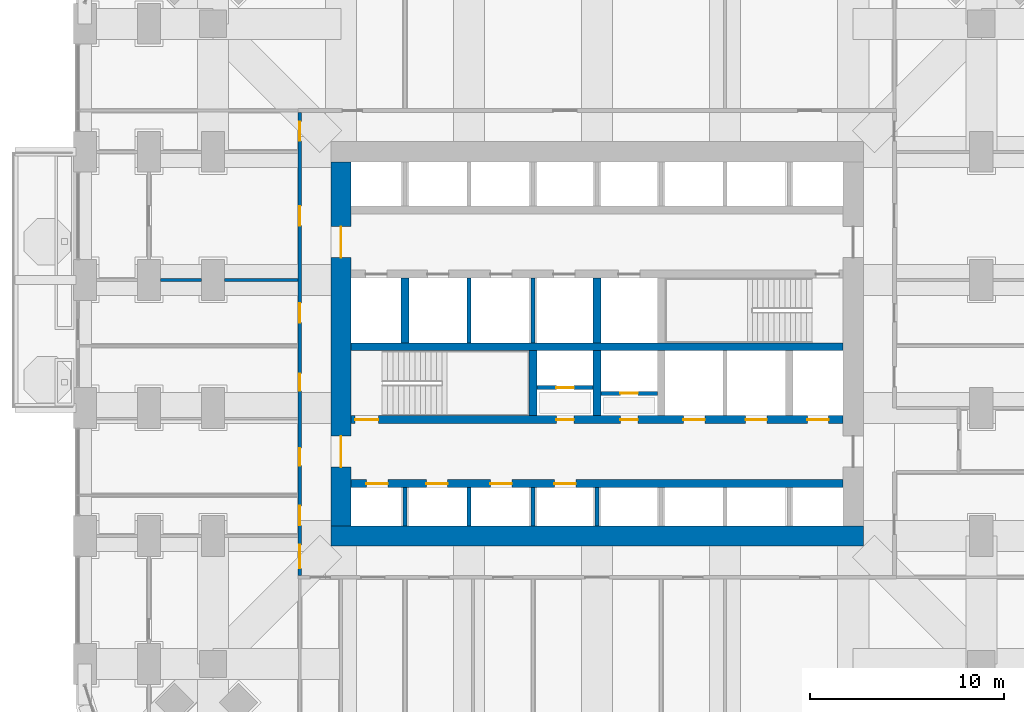
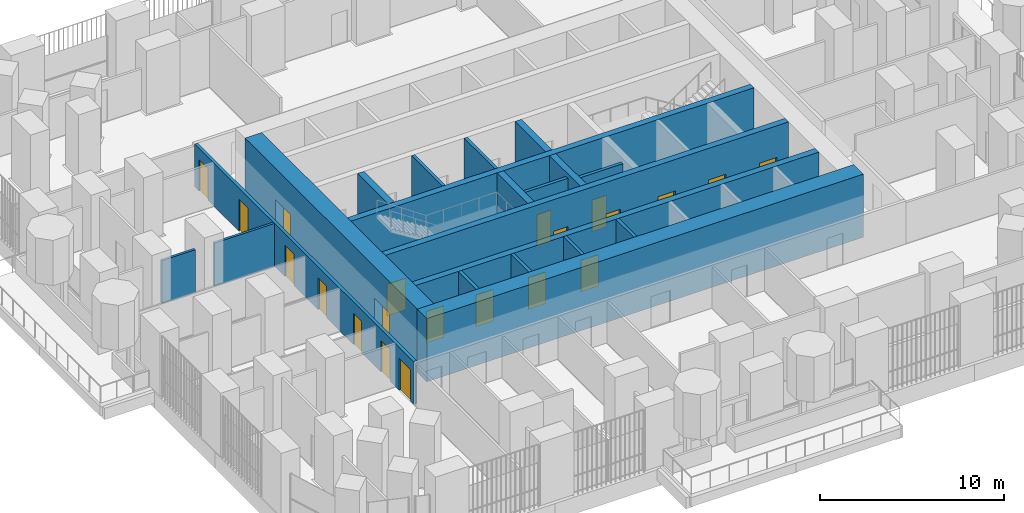
# One storey, part 18 of 26: 21 doors, 20 walls, 21 openings.
"""IFC4 building model written with IfcOpenShell, lengths in metres."""

from ifc_helpers import new_model, si_unit, direction, frame, frame_2d, origin, place, context, subcontext, project, spatial, rectangle, extrude, material, layer, layer_set, type_object, element, fill, save


model = new_model("IFC4")

# Units and contexts
model_context = context("Model", 3, precision=1e-05, world=origin(), true_north=direction((0.0, 1.0)))
body_context = subcontext(model_context, "Body", "Model", "MODEL_VIEW")
ifc_project = project(units=[si_unit("LENGTHUNIT", "METRE"), si_unit("AREAUNIT", "SQUARE_METRE"), si_unit("VOLUMEUNIT", "CUBIC_METRE"), si_unit("PLANEANGLEUNIT", "RADIAN"), si_unit("MASSUNIT", "GRAM", prefix="KILO")], contexts=[model_context])

# Site, building, storey
site_placement = place(None, origin())
site = spatial("IfcSite", under=ifc_project, at=site_placement, CompositionType="ELEMENT")
building_placement = place(site_placement, origin())
building = spatial("IfcBuilding", under=site, at=building_placement, Name="Cobogo Forest Laboratory Tower", CompositionType="ELEMENT")
storey_placement = place(building_placement, frame((0.0, 0.0, 59.10009765625)))
storey = spatial("IfcBuildingStorey", under=building, at=storey_placement, Name="L13", CompositionType="ELEMENT", Elevation=59.10009765625)

# Wall, openings, doors
ifc_material_1 = material(Name="Concrete HA-50 (C50/60)", Category="concrete")
ifc_layer_1 = layer(ifc_material_1, 0.39990234375)
ifc_layer_set_1 = layer_set([ifc_layer_1], Name="CI400 core inner wall 400")
wall_type_1 = type_object("IfcWallType", Name="CI400 core inner wall 400", PredefinedType="SHEAR", material=ifc_layer_set_1)
wall_1_placement = place(storey_placement, frame((13.72509765625, 15.89990234375, 0.0), z_axis=(0.0, 0.0, 1.0), x_axis=(1.0, 0.0, 0.0)))
wall_1 = element("IfcWall", 1, at=wall_1_placement, inside=storey, type_object=wall_type_1, Name="Core wall CI-15.9 L13", PredefinedType="SHEAR", context=body_context, shape_type="SweptSolid", body=[
    extrude(rectangle(XDim=25.349853515625, YDim=0.39990234375, at=frame_2d((12.6748046875, 0.0))), origin(), (0.0, 0.0, 1.0), 4.199951171875),
])
opening_1_placement = place(wall_1_placement, frame((0.78759765625, 0.0, 0.0)))
opening_1 = element("IfcOpeningElement", 2, at=opening_1_placement, cuts=wall_1, Name="Opening L13-LD-LA1", PredefinedType="OPENING", context=body_context, shape_type="SweptSolid", body=[
    extrude(rectangle(XDim=1.10009765625, YDim=2.10009765625, at=frame_2d((0.550048828125, 1.050048828125))), frame((0.0, 0.2099609375, 0.0), z_axis=(0.0, -1.0, 0.0), x_axis=(1.0, 0.0, 0.0)), (0.0, 0.0, 1.0), 0.419921875),
])
opening_2_placement = place(wall_1_placement, frame((3.875, 0.0, 0.0)))
opening_2 = element("IfcOpeningElement", 3, at=opening_2_placement, cuts=wall_1, Name="Opening L13-LD-LA2", PredefinedType="OPENING", context=body_context, shape_type="SweptSolid", body=[
    extrude(rectangle(XDim=1.10009765625, YDim=2.10009765625, at=frame_2d((0.550048828125, 1.050048828125))), frame((0.0, 0.2099609375, 0.0), z_axis=(0.0, -1.0, 0.0), x_axis=(1.0, 0.0, 0.0)), (0.0, 0.0, 1.0), 0.419921875),
])
opening_3_placement = place(wall_1_placement, frame((7.175048828125, 0.0, 0.0)))
opening_3 = element("IfcOpeningElement", 4, at=opening_3_placement, cuts=wall_1, Name="Opening L13-LD-LA3", PredefinedType="OPENING", context=body_context, shape_type="SweptSolid", body=[
    extrude(rectangle(XDim=1.10009765625, YDim=2.10009765625, at=frame_2d((0.550048828125, 1.050048828125))), frame((0.0, 0.2099609375, 0.0), z_axis=(0.0, -1.0, 0.0), x_axis=(1.0, 0.0, 0.0)), (0.0, 0.0, 1.0), 0.419921875),
])
opening_4_placement = place(wall_1_placement, frame((10.47509765625, 0.0, 0.0)))
opening_4 = element("IfcOpeningElement", 5, at=opening_4_placement, cuts=wall_1, Name="Opening L13-LD-LA4", PredefinedType="OPENING", context=body_context, shape_type="SweptSolid", body=[
    extrude(rectangle(XDim=1.10009765625, YDim=2.10009765625, at=frame_2d((0.550048828125, 1.050048828125))), frame((0.0, 0.2099609375, 0.0), z_axis=(0.0, -1.0, 0.0), x_axis=(1.0, 0.0, 0.0)), (0.0, 0.0, 1.0), 0.419921875),
])
ifc_material_2 = material(Name="Stainless steel lift door", Category="steel")
door_type_1 = type_object("IfcDoorType", Name="LD lift landing door 1100", OperationType="DOUBLE_DOOR_SLIDING", PredefinedType="DOOR", material=ifc_material_2)
door_1_placement = place(opening_1_placement, origin())
door_1 = element("IfcDoor", 6, at=door_1_placement, inside=storey, type_object=door_type_1, Name="Lift landing door LA1 L13", OperationType="DOUBLE_DOOR_SLIDING", OverallHeight=2.10009765625, OverallWidth=1.10009765625, PredefinedType="DOOR", context=body_context, shape_type="SweptSolid", body=[
    extrude(rectangle(XDim=1.10009765625, YDim=2.10009765625, at=frame_2d((0.550048828125, 1.050048828125))), frame((0.0, 0.02490234375, 0.0), z_axis=(0.0, -1.0, 0.0), x_axis=(1.0, 0.0, 0.0)), (0.0, 0.0, 1.0), 0.050048828125),
])
fill(opening_1, door_1)
door_2_placement = place(opening_2_placement, origin())
door_2 = element("IfcDoor", 7, at=door_2_placement, inside=storey, type_object=door_type_1, Name="Lift landing door LA2 L13", OperationType="DOUBLE_DOOR_SLIDING", OverallHeight=2.10009765625, OverallWidth=1.10009765625, PredefinedType="DOOR", context=body_context, shape_type="SweptSolid", body=[
    extrude(rectangle(XDim=1.10009765625, YDim=2.10009765625, at=frame_2d((0.550048828125, 1.050048828125))), frame((0.0, 0.02490234375, 0.0), z_axis=(0.0, -1.0, 0.0), x_axis=(1.0, 0.0, 0.0)), (0.0, 0.0, 1.0), 0.050048828125),
])
fill(opening_2, door_2)
door_3_placement = place(opening_3_placement, origin())
door_3 = element("IfcDoor", 8, at=door_3_placement, inside=storey, type_object=door_type_1, Name="Lift landing door LA3 L13", OperationType="DOUBLE_DOOR_SLIDING", OverallHeight=2.10009765625, OverallWidth=1.10009765625, PredefinedType="DOOR", context=body_context, shape_type="SweptSolid", body=[
    extrude(rectangle(XDim=1.10009765625, YDim=2.10009765625, at=frame_2d((0.550048828125, 1.050048828125))), frame((0.0, 0.02490234375, 0.0), z_axis=(0.0, -1.0, 0.0), x_axis=(1.0, 0.0, 0.0)), (0.0, 0.0, 1.0), 0.050048828125),
])
fill(opening_3, door_3)
door_4_placement = place(opening_4_placement, origin())
door_4 = element("IfcDoor", 9, at=door_4_placement, inside=storey, type_object=door_type_1, Name="Lift landing door LA4 L13", OperationType="DOUBLE_DOOR_SLIDING", OverallHeight=2.10009765625, OverallWidth=1.10009765625, PredefinedType="DOOR", context=body_context, shape_type="SweptSolid", body=[
    extrude(rectangle(XDim=1.10009765625, YDim=2.10009765625, at=frame_2d((0.550048828125, 1.050048828125))), frame((0.0, 0.02490234375, 0.0), z_axis=(0.0, -1.0, 0.0), x_axis=(1.0, 0.0, 0.0)), (0.0, 0.0, 1.0), 0.050048828125),
])
fill(opening_4, door_4)

wall_2_placement = place(storey_placement, frame((13.72509765625, 19.199951171875, 0.0), z_axis=(0.0, 0.0, 1.0), x_axis=(1.0, 0.0, 0.0)))
wall_2 = element("IfcWall", 10, at=wall_2_placement, inside=storey, type_object=wall_type_1, Name="Core wall CI-19.2 L13", PredefinedType="SHEAR", context=body_context, shape_type="SweptSolid", body=[
    extrude(rectangle(XDim=25.349853515625, YDim=0.39990234375, at=frame_2d((12.6748046875, 0.0))), origin(), (0.0, 0.0, 1.0), 4.199951171875),
])
opening_5_placement = place(wall_2_placement, frame((10.574951171875, 0.0, 0.0)))
opening_5 = element("IfcOpeningElement", 11, at=opening_5_placement, cuts=wall_2, Name="Opening L13-D24", PredefinedType="OPENING", context=body_context, shape_type="SweptSolid", body=[
    extrude(rectangle(XDim=0.89990234375, YDim=2.10009765625, at=frame_2d((0.449951171875, 1.050048828125))), frame((0.0, 0.2099609375, 0.0), z_axis=(0.0, -1.0, 0.0), x_axis=(1.0, 0.0, 0.0)), (0.0, 0.0, 1.0), 0.419921875),
])
opening_6_placement = place(wall_2_placement, frame((13.875, 0.0, 0.0)))
opening_6 = element("IfcOpeningElement", 12, at=opening_6_placement, cuts=wall_2, Name="Opening L13-D25", PredefinedType="OPENING", context=body_context, shape_type="SweptSolid", body=[
    extrude(rectangle(XDim=0.89990234375, YDim=2.10009765625, at=frame_2d((0.449951171875, 1.050048828125))), frame((0.0, 0.2099609375, 0.0), z_axis=(0.0, -1.0, 0.0), x_axis=(1.0, 0.0, 0.0)), (0.0, 0.0, 1.0), 0.419921875),
])
opening_7_placement = place(wall_2_placement, frame((0.199951171875, 0.0, 0.0)))
opening_7 = element("IfcOpeningElement", 13, at=opening_7_placement, cuts=wall_2, Name="Opening L13-D23", PredefinedType="OPENING", context=body_context, shape_type="SweptSolid", body=[
    extrude(rectangle(XDim=1.199951171875, YDim=2.10009765625, at=frame_2d((0.60009765625, 1.050048828125))), frame((0.0, 0.2099609375, 0.0), z_axis=(0.0, -1.0, 0.0), x_axis=(1.0, 0.0, 0.0)), (0.0, 0.0, 1.0), 0.419921875),
])
opening_8_placement = place(wall_2_placement, frame((23.512451171875, 0.0, 0.0)))
opening_8 = element("IfcOpeningElement", 14, at=opening_8_placement, cuts=wall_2, Name="Opening L13-LD-FL2", PredefinedType="OPENING", context=body_context, shape_type="SweptSolid", body=[
    extrude(rectangle(XDim=1.10009765625, YDim=2.10009765625, at=frame_2d((0.550048828125, 1.050048828125))), frame((0.0, 0.2099609375, 0.0), z_axis=(0.0, -1.0, 0.0), x_axis=(1.0, 0.0, 0.0)), (0.0, 0.0, 1.0), 0.419921875),
])
opening_9_placement = place(wall_2_placement, frame((17.125, 0.0, 0.0)))
opening_9 = element("IfcOpeningElement", 15, at=opening_9_placement, cuts=wall_2, Name="Opening L13-LD-LS1", PredefinedType="OPENING", context=body_context, shape_type="SweptSolid", body=[
    extrude(rectangle(XDim=1.10009765625, YDim=2.10009765625, at=frame_2d((0.550048828125, 1.050048828125))), frame((0.0, 0.2099609375, 0.0), z_axis=(0.0, -1.0, 0.0), x_axis=(1.0, 0.0, 0.0)), (0.0, 0.0, 1.0), 0.419921875),
])
opening_10_placement = place(wall_2_placement, frame((20.324951171875, 0.0, 0.0)))
opening_10 = element("IfcOpeningElement", 16, at=opening_10_placement, cuts=wall_2, Name="Opening L13-LD-LS2", PredefinedType="OPENING", context=body_context, shape_type="SweptSolid", body=[
    extrude(rectangle(XDim=1.10009765625, YDim=2.10009765625, at=frame_2d((0.550048828125, 1.050048828125))), frame((0.0, 0.2099609375, 0.0), z_axis=(0.0, -1.0, 0.0), x_axis=(1.0, 0.0, 0.0)), (0.0, 0.0, 1.0), 0.419921875),
])
ifc_material_3 = material(Name="Steel fire door", Category="steel")
door_type_2 = type_object("IfcDoorType", Name="DS1 protected stair door 1200 EI2 60", OperationType="SINGLE_SWING_LEFT", PredefinedType="DOOR", material=ifc_material_3)
door_5_placement = place(opening_7_placement, origin())
door_5 = element("IfcDoor", 17, at=door_5_placement, inside=storey, type_object=door_type_2, Name="Door L13-ST1", OperationType="SINGLE_SWING_LEFT", OverallHeight=2.10009765625, OverallWidth=1.199951171875, PredefinedType="DOOR", context=body_context, shape_type="SweptSolid", body=[
    extrude(rectangle(XDim=1.199951171875, YDim=2.10009765625, at=frame_2d((0.60009765625, 1.050048828125))), frame((0.0, 0.02490234375, 0.0), z_axis=(0.0, -1.0, 0.0), x_axis=(1.0, 0.0, 0.0)), (0.0, 0.0, 1.0), 0.050048828125),
])
fill(opening_7, door_5)
door_type_3 = type_object("IfcDoorType", Name="FD4 riser access door 900 EI2 60", OperationType="SINGLE_SWING_LEFT", PredefinedType="DOOR", material=ifc_material_3)
door_6_placement = place(opening_5_placement, origin())
door_6 = element("IfcDoor", 18, at=door_6_placement, inside=storey, type_object=door_type_3, Name="Door L13-R1V", OperationType="SINGLE_SWING_LEFT", OverallHeight=2.10009765625, OverallWidth=0.89990234375, PredefinedType="DOOR", context=body_context, shape_type="SweptSolid", body=[
    extrude(rectangle(XDim=0.89990234375, YDim=2.10009765625, at=frame_2d((0.449951171875, 1.050048828125))), frame((0.0, 0.02490234375, 0.0), z_axis=(0.0, -1.0, 0.0), x_axis=(1.0, 0.0, 0.0)), (0.0, 0.0, 1.0), 0.050048828125),
])
fill(opening_5, door_6)
door_7_placement = place(opening_6_placement, origin())
door_7 = element("IfcDoor", 19, at=door_7_placement, inside=storey, type_object=door_type_3, Name="Door L13-R2V", OperationType="SINGLE_SWING_RIGHT", OverallHeight=2.10009765625, OverallWidth=0.89990234375, PredefinedType="DOOR", context=body_context, shape_type="SweptSolid", body=[
    extrude(rectangle(XDim=0.89990234375, YDim=2.10009765625, at=frame_2d((0.449951171875, 1.050048828125))), frame((0.0, 0.02490234375, 0.0), z_axis=(0.0, -1.0, 0.0), x_axis=(1.0, 0.0, 0.0)), (0.0, 0.0, 1.0), 0.050048828125),
])
fill(opening_6, door_7)
door_8_placement = place(opening_8_placement, origin())
door_8 = element("IfcDoor", 20, at=door_8_placement, inside=storey, type_object=door_type_1, Name="Lift landing door FL2 L13", OperationType="DOUBLE_DOOR_SLIDING", OverallHeight=2.10009765625, OverallWidth=1.10009765625, PredefinedType="DOOR", context=body_context, shape_type="SweptSolid", body=[
    extrude(rectangle(XDim=1.10009765625, YDim=2.10009765625, at=frame_2d((0.550048828125, 1.050048828125))), frame((0.0, 0.02490234375, 0.0), z_axis=(0.0, -1.0, 0.0), x_axis=(1.0, 0.0, 0.0)), (0.0, 0.0, 1.0), 0.050048828125),
])
fill(opening_8, door_8)
door_9_placement = place(opening_9_placement, origin())
door_9 = element("IfcDoor", 21, at=door_9_placement, inside=storey, type_object=door_type_1, Name="Lift landing door LS1 L13", OperationType="DOUBLE_DOOR_SLIDING", OverallHeight=2.10009765625, OverallWidth=1.10009765625, PredefinedType="DOOR", context=body_context, shape_type="SweptSolid", body=[
    extrude(rectangle(XDim=1.10009765625, YDim=2.10009765625, at=frame_2d((0.550048828125, 1.050048828125))), frame((0.0, 0.02490234375, 0.0), z_axis=(0.0, -1.0, 0.0), x_axis=(1.0, 0.0, 0.0)), (0.0, 0.0, 1.0), 0.050048828125),
])
fill(opening_9, door_9)
door_10_placement = place(opening_10_placement, origin())
door_10 = element("IfcDoor", 22, at=door_10_placement, inside=storey, type_object=door_type_1, Name="Lift landing door LS2 L13", OperationType="DOUBLE_DOOR_SLIDING", OverallHeight=2.10009765625, OverallWidth=1.10009765625, PredefinedType="DOOR", context=body_context, shape_type="SweptSolid", body=[
    extrude(rectangle(XDim=1.10009765625, YDim=2.10009765625, at=frame_2d((0.550048828125, 1.050048828125))), frame((0.0, 0.02490234375, 0.0), z_axis=(0.0, -1.0, 0.0), x_axis=(1.0, 0.0, 0.0)), (0.0, 0.0, 1.0), 0.050048828125),
])
fill(opening_10, door_10)

# Walls
wall_3_placement = place(storey_placement, frame((13.72509765625, 22.949951171875, 0.0), z_axis=(0.0, 0.0, 1.0), x_axis=(1.0, 0.0, 0.0)))
element("IfcWall", 23, at=wall_3_placement, inside=storey, type_object=wall_type_1, Name="Core wall CI-22.95 L13", PredefinedType="SHEAR", context=body_context, shape_type="SweptSolid", body=[
    extrude(rectangle(XDim=25.349853515625, YDim=0.39990234375, at=frame_2d((12.6748046875, 0.0))), origin(), (0.0, 0.0, 1.0), 4.199951171875),
])
for number, where, z_axis, x_axis, name in (
    (24, (23.10009765625, 19.39990234375, 0.0), (0.0, 0.0, 1.0), (0.0, 1.0, 0.0), "Core wall CX-23.1 L13"),
    (25, (26.39990234375, 19.39990234375, 0.0), (0.0, 0.0, 1.0), (0.0, 1.0, 0.0), "Core wall CX-26.4S L13"),
    (26, (16.5, 23.14990234375, 0.0), (0.0, 0.0, 1.0), (0.0, 1.0, 0.0), "Core wall CX-16.5 L13"),
    (27, (26.39990234375, 23.14990234375, 0.0), (0.0, 0.0, 1.0), (0.0, 1.0, 0.0), "Core wall CX-26.4N L13"),
):
    element("IfcWall", number, at=place(storey_placement, frame(where, z_axis=z_axis, x_axis=x_axis)), inside=storey, type_object=wall_type_1, Name=name, PredefinedType="SHEAR", context=body_context, shape_type="SweptSolid", body=[
        extrude(rectangle(XDim=3.35009765625, YDim=0.39990234375, at=frame_2d((1.675048828125, 0.0))), origin(), (0.0, 0.0, 1.0), 4.199951171875),
    ])
ifc_layer_2 = layer(ifc_material_1, 1.050048828125)
ifc_layer_set_2 = layer_set([ifc_layer_2], Name="CW1050 core outer wall 1050")
wall_type_2 = type_object("IfcWallType", Name="CW1050 core outer wall 1050", PredefinedType="SHEAR", material=ifc_layer_set_2)
wall_4_placement = place(storey_placement, frame((12.675048828125, 13.199951171875, 0.0), z_axis=(0.0, 0.0, 1.0), x_axis=(1.0, 0.0, 0.0)))
element("IfcWall", 28, at=wall_4_placement, inside=storey, type_object=wall_type_2, Name="Core wall CO-S L13", PredefinedType="SHEAR", context=body_context, shape_type="SweptSolid", body=[
    extrude(rectangle(XDim=27.449951171875, YDim=1.050048828125, at=frame_2d((13.72509765625, 0.0))), origin(), (0.0, 0.0, 1.0), 4.199951171875),
])

# Wall, openings, doors
wall_5_placement = place(storey_placement, frame((13.199951171875, 32.47509765625, 0.0), z_axis=(0.0, 0.0, 1.0), x_axis=(0.0, -1.0, 0.0)))
wall_5 = element("IfcWall", 29, at=wall_5_placement, inside=storey, type_object=wall_type_2, Name="Core wall CO-W L13", PredefinedType="SHEAR", context=body_context, shape_type="SweptSolid", body=[
    extrude(rectangle(XDim=18.75, YDim=1.050048828125, at=frame_2d((9.375, 0.0))), origin(), (0.0, 0.0, 1.0), 4.199951171875),
])
opening_11_placement = place(wall_5_placement, frame((14.125, 0.0, 0.0)))
opening_11 = element("IfcOpeningElement", 30, at=opening_11_placement, cuts=wall_5, Name="Opening L13-D19", PredefinedType="OPENING", context=body_context, shape_type="SweptSolid", body=[
    extrude(rectangle(XDim=1.60009765625, YDim=2.10009765625, at=frame_2d((0.800048828125, 1.050048828125))), frame((0.0, 0.534912109375, 0.0), z_axis=(0.0, -1.0, 0.0), x_axis=(1.0, 0.0, 0.0)), (0.0, 0.0, 1.0), 1.070068359375),
])
opening_12_placement = place(wall_5_placement, frame((3.324951171875, 0.0, 0.0)))
opening_12 = element("IfcOpeningElement", 31, at=opening_12_placement, cuts=wall_5, Name="Opening L13-D35", PredefinedType="OPENING", context=body_context, shape_type="SweptSolid", body=[
    extrude(rectangle(XDim=1.60009765625, YDim=2.10009765625, at=frame_2d((0.800048828125, 1.050048828125))), frame((0.0, 0.534912109375, 0.0), z_axis=(0.0, -1.0, 0.0), x_axis=(1.0, 0.0, 0.0)), (0.0, 0.0, 1.0), 1.070068359375),
])
door_type_4 = type_object("IfcDoorType", Name="DS2 protected lobby door pair 1600 EI2 60", OperationType="DOUBLE_DOOR_DOUBLE_SWING", PredefinedType="DOOR", material=ifc_material_3)
door_11_placement = place(opening_11_placement, origin())
door_11 = element("IfcDoor", 32, at=door_11_placement, inside=storey, type_object=door_type_4, Name="Door L13-CO-W-S", OperationType="DOUBLE_DOOR_DOUBLE_SWING", OverallHeight=2.10009765625, OverallWidth=1.60009765625, PredefinedType="DOOR", context=body_context, shape_type="SweptSolid", body=[
    extrude(rectangle(XDim=1.60009765625, YDim=2.10009765625, at=frame_2d((0.800048828125, 1.050048828125))), frame((0.0, 0.02490234375, 0.0), z_axis=(0.0, -1.0, 0.0), x_axis=(1.0, 0.0, 0.0)), (0.0, 0.0, 1.0), 0.050048828125),
])
fill(opening_11, door_11)
door_12_placement = place(opening_12_placement, origin())
door_12 = element("IfcDoor", 33, at=door_12_placement, inside=storey, type_object=door_type_4, Name="Door L13-CO-W-N", OperationType="DOUBLE_DOOR_DOUBLE_SWING", OverallHeight=2.10009765625, OverallWidth=1.60009765625, PredefinedType="DOOR", context=body_context, shape_type="SweptSolid", body=[
    extrude(rectangle(XDim=1.60009765625, YDim=2.10009765625, at=frame_2d((0.800048828125, 1.050048828125))), frame((0.0, 0.02490234375, 0.0), z_axis=(0.0, -1.0, 0.0), x_axis=(1.0, 0.0, 0.0)), (0.0, 0.0, 1.0), 0.050048828125),
])
fill(opening_12, door_12)

# Walls
ifc_material_4 = material(Name="Gypsum board on steel studs", Category="steel")
ifc_layer_3 = layer(ifc_material_4, 0.14990234375)
ifc_layer_set_3 = layer_set([ifc_layer_3], Name="PT1 laboratory partition 150")
wall_type_3 = type_object("IfcWallType", Name="PT1 laboratory partition 150", PredefinedType="PARTITIONING", material=ifc_layer_set_3)
wall_6_placement = place(storey_placement, frame((3.89990234375, 26.39990234375, 0.0), z_axis=(0.0, 0.0, 1.0), x_axis=(1.0, 0.0, 0.0)))
element("IfcWall", 34, at=wall_6_placement, inside=storey, type_object=wall_type_3, Name="Partition CUT-W26.4-2 L13", PredefinedType="PARTITIONING", context=body_context, shape_type="SweptSolid", body=[
    extrude(rectangle(XDim=2.10009765625, YDim=0.14990234375, at=frame_2d((1.050048828125, 0.0))), origin(), (0.0, 0.0, 1.0), 2.849853515625),
])
wall_7_placement = place(storey_placement, frame((7.199951171875, 26.39990234375, 0.0), z_axis=(0.0, 0.0, 1.0), x_axis=(1.0, 0.0, 0.0)))
element("IfcWall", 35, at=wall_7_placement, inside=storey, type_object=wall_type_3, Name="Partition CUT-W26.4-3 L13", PredefinedType="PARTITIONING", context=body_context, shape_type="SweptSolid", body=[
    extrude(rectangle(XDim=3.775146484375, YDim=0.14990234375, at=frame_2d((1.8876953125, 0.0))), origin(), (0.0, 0.0, 1.0), 2.849853515625),
])

# Wall, openings, doors
ifc_layer_4 = layer(ifc_material_4, 0.199951171875)
ifc_layer_set_4 = layer_set([ifc_layer_4], Name="PT2 fire-rated corridor partition 200")
wall_type_4 = type_object("IfcWallType", Name="PT2 fire-rated corridor partition 200", PredefinedType="PARTITIONING", material=ifc_layer_set_4)
wall_8_placement = place(storey_placement, frame((11.074951171875, 11.175048828125, 0.0), z_axis=(0.0, 0.0, 1.0), x_axis=(0.0, 1.0, 0.0)))
wall_8 = element("IfcWall", 36, at=wall_8_placement, inside=storey, type_object=wall_type_4, Name="Partition CORR-W L13", PredefinedType="PARTITIONING", context=body_context, shape_type="SweptSolid", body=[
    extrude(rectangle(XDim=23.849853515625, YDim=0.199951171875, at=frame_2d((11.9248046875, 0.0))), origin(), (0.0, 0.0, 1.0), 2.849853515625),
])
opening_13_placement = place(wall_8_placement, frame((0.362548828125, 0.0, 0.0)))
opening_13 = element("IfcOpeningElement", 37, at=opening_13_placement, cuts=wall_8, Name="Opening L13-D14", PredefinedType="OPENING", context=body_context, shape_type="SweptSolid", body=[
    extrude(rectangle(XDim=1.199951171875, YDim=2.10009765625, at=frame_2d((0.60009765625, 1.050048828125))), frame((0.0, 0.10986328125, 0.0), z_axis=(0.0, -1.0, 0.0), x_axis=(1.0, 0.0, 0.0)), (0.0, 0.0, 1.0), 0.219970703125),
])
opening_14_placement = place(wall_8_placement, frame((2.574951171875, 0.0, 0.0)))
opening_14 = element("IfcOpeningElement", 38, at=opening_14_placement, cuts=wall_8, Name="Opening L13-D16", PredefinedType="OPENING", context=body_context, shape_type="SweptSolid", body=[
    extrude(rectangle(XDim=1.0, YDim=2.10009765625, at=frame_2d((0.5, 1.050048828125))), frame((0.0, 0.10986328125, 0.0), z_axis=(0.0, -1.0, 0.0), x_axis=(1.0, 0.0, 0.0)), (0.0, 0.0, 1.0), 0.219970703125),
])
opening_15_placement = place(wall_8_placement, frame((5.64990234375, 0.0, 0.0)))
opening_15 = element("IfcOpeningElement", 39, at=opening_15_placement, cuts=wall_8, Name="Opening L13-D18", PredefinedType="OPENING", context=body_context, shape_type="SweptSolid", body=[
    extrude(rectangle(XDim=0.89990234375, YDim=2.10009765625, at=frame_2d((0.449951171875, 1.050048828125))), frame((0.0, 0.10986328125, 0.0), z_axis=(0.0, -1.0, 0.0), x_axis=(1.0, 0.0, 0.0)), (0.0, 0.0, 1.0), 0.219970703125),
])
opening_16_placement = place(wall_8_placement, frame((9.5, 0.0, 0.0)))
opening_16 = element("IfcOpeningElement", 40, at=opening_16_placement, cuts=wall_8, Name="Opening L13-D28", PredefinedType="OPENING", context=body_context, shape_type="SweptSolid", body=[
    extrude(rectangle(XDim=0.89990234375, YDim=2.10009765625, at=frame_2d((0.449951171875, 1.050048828125))), frame((0.0, 0.10986328125, 0.0), z_axis=(0.0, -1.0, 0.0), x_axis=(1.0, 0.0, 0.0)), (0.0, 0.0, 1.0), 0.219970703125),
])
opening_17_placement = place(wall_8_placement, frame((13.02490234375, 0.0, 0.0)))
opening_17 = element("IfcOpeningElement", 41, at=opening_17_placement, cuts=wall_8, Name="Opening L13-D32", PredefinedType="OPENING", context=body_context, shape_type="SweptSolid", body=[
    extrude(rectangle(XDim=1.0, YDim=2.10009765625, at=frame_2d((0.5, 1.050048828125))), frame((0.0, 0.10986328125, 0.0), z_axis=(0.0, -1.0, 0.0), x_axis=(1.0, 0.0, 0.0)), (0.0, 0.0, 1.0), 0.219970703125),
])
opening_18_placement = place(wall_8_placement, frame((18.02490234375, 0.0, 0.0)))
opening_18 = element("IfcOpeningElement", 42, at=opening_18_placement, cuts=wall_8, Name="Opening L13-D38", PredefinedType="OPENING", context=body_context, shape_type="SweptSolid", body=[
    extrude(rectangle(XDim=1.0, YDim=2.10009765625, at=frame_2d((0.5, 1.050048828125))), frame((0.0, 0.10986328125, 0.0), z_axis=(0.0, -1.0, 0.0), x_axis=(1.0, 0.0, 0.0)), (0.0, 0.0, 1.0), 0.219970703125),
])
opening_19_placement = place(wall_8_placement, frame((22.387451171875, 0.0, 0.0)))
opening_19 = element("IfcOpeningElement", 43, at=opening_19_placement, cuts=wall_8, Name="Opening L13-D41", PredefinedType="OPENING", context=body_context, shape_type="SweptSolid", body=[
    extrude(rectangle(XDim=1.0, YDim=2.10009765625, at=frame_2d((0.5, 1.050048828125))), frame((0.0, 0.10986328125, 0.0), z_axis=(0.0, -1.0, 0.0), x_axis=(1.0, 0.0, 0.0)), (0.0, 0.0, 1.0), 0.219970703125),
])
ifc_material_5 = material(Name="Timber door", Category="wood")
door_type_5 = type_object("IfcDoorType", Name="D2 laboratory door 1200 unequal pair", OperationType="DOUBLE_DOOR_SINGLE_SWING", PredefinedType="DOOR", material=ifc_material_5)
door_13_placement = place(opening_13_placement, origin())
door_13 = element("IfcDoor", 44, at=door_13_placement, inside=storey, type_object=door_type_5, Name="Door L13-W1", OperationType="DOUBLE_DOOR_SINGLE_SWING", OverallHeight=2.10009765625, OverallWidth=1.199951171875, PredefinedType="DOOR", context=body_context, shape_type="SweptSolid", body=[
    extrude(rectangle(XDim=1.199951171875, YDim=2.10009765625, at=frame_2d((0.60009765625, 1.050048828125))), frame((0.0, 0.02490234375, 0.0), z_axis=(0.0, -1.0, 0.0), x_axis=(1.0, 0.0, 0.0)), (0.0, 0.0, 1.0), 0.050048828125),
])
fill(opening_13, door_13)
ifc_material_6 = material(Name="Timber fire door", Category="wood")
door_type_6 = type_object("IfcDoorType", Name="FD2 fire door 1000 EI2 30", OperationType="SINGLE_SWING_LEFT", PredefinedType="DOOR", material=ifc_material_6)
door_14_placement = place(opening_17_placement, origin())
door_14 = element("IfcDoor", 45, at=door_14_placement, inside=storey, type_object=door_type_6, Name="Door L13-SHW", OperationType="SINGLE_SWING_RIGHT", OverallHeight=2.10009765625, OverallWidth=1.0, PredefinedType="DOOR", context=body_context, shape_type="SweptSolid", body=[
    extrude(rectangle(XDim=1.0, YDim=2.10009765625, at=frame_2d((0.5, 1.050048828125))), frame((0.0, 0.02490234375, 0.0), z_axis=(0.0, -1.0, 0.0), x_axis=(1.0, 0.0, 0.0)), (0.0, 0.0, 1.0), 0.050048828125),
])
fill(opening_17, door_14)
door_15_placement = place(opening_18_placement, origin())
door_15 = element("IfcDoor", 46, at=door_15_placement, inside=storey, type_object=door_type_6, Name="Door L13-W3", OperationType="SINGLE_SWING_RIGHT", OverallHeight=2.10009765625, OverallWidth=1.0, PredefinedType="DOOR", context=body_context, shape_type="SweptSolid", body=[
    extrude(rectangle(XDim=1.0, YDim=2.10009765625, at=frame_2d((0.5, 1.050048828125))), frame((0.0, 0.02490234375, 0.0), z_axis=(0.0, -1.0, 0.0), x_axis=(1.0, 0.0, 0.0)), (0.0, 0.0, 1.0), 0.050048828125),
])
fill(opening_18, door_15)
door_16_placement = place(opening_19_placement, origin())
door_16 = element("IfcDoor", 47, at=door_16_placement, inside=storey, type_object=door_type_6, Name="Door L13-W4", OperationType="SINGLE_SWING_RIGHT", OverallHeight=2.10009765625, OverallWidth=1.0, PredefinedType="DOOR", context=body_context, shape_type="SweptSolid", body=[
    extrude(rectangle(XDim=1.0, YDim=2.10009765625, at=frame_2d((0.5, 1.050048828125))), frame((0.0, 0.02490234375, 0.0), z_axis=(0.0, -1.0, 0.0), x_axis=(1.0, 0.0, 0.0)), (0.0, 0.0, 1.0), 0.050048828125),
])
fill(opening_19, door_16)
door_type_7 = type_object("IfcDoorType", Name="FD3 toilet fire door 900 EI2 30", OperationType="SINGLE_SWING_LEFT", PredefinedType="DOOR", material=ifc_material_6)
door_17_placement = place(opening_15_placement, origin())
door_17 = element("IfcDoor", 48, at=door_17_placement, inside=storey, type_object=door_type_7, Name="Door L13-WCF", OperationType="SINGLE_SWING_LEFT", OverallHeight=2.10009765625, OverallWidth=0.89990234375, PredefinedType="DOOR", context=body_context, shape_type="SweptSolid", body=[
    extrude(rectangle(XDim=0.89990234375, YDim=2.10009765625, at=frame_2d((0.449951171875, 1.050048828125))), frame((0.0, 0.02490234375, 0.0), z_axis=(0.0, -1.0, 0.0), x_axis=(1.0, 0.0, 0.0)), (0.0, 0.0, 1.0), 0.050048828125),
])
fill(opening_15, door_17)
door_18_placement = place(opening_16_placement, origin())
door_18 = element("IfcDoor", 49, at=door_18_placement, inside=storey, type_object=door_type_7, Name="Door L13-WCM", OperationType="SINGLE_SWING_LEFT", OverallHeight=2.10009765625, OverallWidth=0.89990234375, PredefinedType="DOOR", context=body_context, shape_type="SweptSolid", body=[
    extrude(rectangle(XDim=0.89990234375, YDim=2.10009765625, at=frame_2d((0.449951171875, 1.050048828125))), frame((0.0, 0.02490234375, 0.0), z_axis=(0.0, -1.0, 0.0), x_axis=(1.0, 0.0, 0.0)), (0.0, 0.0, 1.0), 0.050048828125),
])
fill(opening_16, door_18)
door_type_8 = type_object("IfcDoorType", Name="FDA1 accessible toilet fire door 1000 EI2 30", OperationType="SINGLE_SWING_RIGHT", PredefinedType="DOOR", material=ifc_material_6)
door_19_placement = place(opening_14_placement, origin())
door_19 = element("IfcDoor", 50, at=door_19_placement, inside=storey, type_object=door_type_8, Name="Door L13-WCA", OperationType="SINGLE_SWING_LEFT", OverallHeight=2.10009765625, OverallWidth=1.0, PredefinedType="DOOR", context=body_context, shape_type="SweptSolid", body=[
    extrude(rectangle(XDim=1.0, YDim=2.10009765625, at=frame_2d((0.5, 1.050048828125))), frame((0.0, 0.02490234375, 0.0), z_axis=(0.0, -1.0, 0.0), x_axis=(1.0, 0.0, 0.0)), (0.0, 0.0, 1.0), 0.050048828125),
])
fill(opening_14, door_19)

# Wall, opening, door
wall_9_placement = place(storey_placement, frame((23.300048828125, 20.85009765625, 0.0), z_axis=(0.0, 0.0, 1.0), x_axis=(1.0, 0.0, 0.0)))
wall_9 = element("IfcWall", 51, at=wall_9_placement, inside=storey, type_object=wall_type_4, Name="Partition RSPLIT-R1 L13", PredefinedType="PARTITIONING", context=body_context, shape_type="SweptSolid", body=[
    extrude(rectangle(XDim=2.89990234375, YDim=0.199951171875, at=frame_2d((1.449951171875, 0.0))), origin(), (0.0, 0.0, 1.0), 3.89990234375),
])
opening_20_placement = place(wall_9_placement, frame((1.0, 0.0, 0.0)))
opening_20 = element("IfcOpeningElement", 52, at=opening_20_placement, cuts=wall_9, Name="Opening L13-D27", PredefinedType="OPENING", context=body_context, shape_type="SweptSolid", body=[
    extrude(rectangle(XDim=0.89990234375, YDim=2.10009765625, at=frame_2d((0.449951171875, 1.050048828125))), frame((0.0, 0.10986328125, 0.0), z_axis=(0.0, -1.0, 0.0), x_axis=(1.0, 0.0, 0.0)), (0.0, 0.0, 1.0), 0.219970703125),
])
door_20_placement = place(opening_20_placement, origin())
door_20 = element("IfcDoor", 53, at=door_20_placement, inside=storey, type_object=door_type_3, Name="Door L13-R1", OperationType="SINGLE_SWING_RIGHT", OverallHeight=2.10009765625, OverallWidth=0.89990234375, PredefinedType="DOOR", context=body_context, shape_type="SweptSolid", body=[
    extrude(rectangle(XDim=0.89990234375, YDim=2.10009765625, at=frame_2d((0.449951171875, 1.050048828125))), frame((0.0, 0.02490234375, 0.0), z_axis=(0.0, -1.0, 0.0), x_axis=(1.0, 0.0, 0.0)), (0.0, 0.0, 1.0), 0.050048828125),
])
fill(opening_20, door_20)

wall_10_placement = place(storey_placement, frame((26.60009765625, 20.550048828125, 0.0), z_axis=(0.0, 0.0, 1.0), x_axis=(1.0, 0.0, 0.0)))
wall_10 = element("IfcWall", 54, at=wall_10_placement, inside=storey, type_object=wall_type_4, Name="Partition RSPLIT-R2 L13", PredefinedType="PARTITIONING", context=body_context, shape_type="SweptSolid", body=[
    extrude(rectangle(XDim=2.89990234375, YDim=0.199951171875, at=frame_2d((1.449951171875, 0.0))), origin(), (0.0, 0.0, 1.0), 3.89990234375),
])
opening_21_placement = place(wall_10_placement, frame((1.0, 0.0, 0.0)))
opening_21 = element("IfcOpeningElement", 55, at=opening_21_placement, cuts=wall_10, Name="Opening L13-D26", PredefinedType="OPENING", context=body_context, shape_type="SweptSolid", body=[
    extrude(rectangle(XDim=0.89990234375, YDim=2.10009765625, at=frame_2d((0.449951171875, 1.050048828125))), frame((0.0, 0.10986328125, 0.0), z_axis=(0.0, -1.0, 0.0), x_axis=(1.0, 0.0, 0.0)), (0.0, 0.0, 1.0), 0.219970703125),
])
door_21_placement = place(opening_21_placement, origin())
door_21 = element("IfcDoor", 56, at=door_21_placement, inside=storey, type_object=door_type_3, Name="Door L13-R2", OperationType="SINGLE_SWING_RIGHT", OverallHeight=2.10009765625, OverallWidth=0.89990234375, PredefinedType="DOOR", context=body_context, shape_type="SweptSolid", body=[
    extrude(rectangle(XDim=0.89990234375, YDim=2.10009765625, at=frame_2d((0.449951171875, 1.050048828125))), frame((0.0, 0.02490234375, 0.0), z_axis=(0.0, -1.0, 0.0), x_axis=(1.0, 0.0, 0.0)), (0.0, 0.0, 1.0), 0.050048828125),
])
fill(opening_21, door_21)

# Walls
ifc_material_7 = material(Name="Concrete block", Category="concrete")
ifc_layer_5 = layer(ifc_material_7, 0.199951171875)
ifc_layer_set_5 = layer_set([ifc_layer_5], Name="SW200 lift shaft separator 200")
wall_type_5 = type_object("IfcWallType", Name="SW200 lift shaft separator 200", PredefinedType="PARTITIONING", material=ifc_layer_set_5)
for number, where, z_axis, x_axis, name in (
    (57, (16.5, 13.72509765625, 0.0), (0.0, 0.0, 1.0), (0.0, 1.0, 0.0), "Core wall SEP-S1 L13"),
    (58, (19.800048828125, 13.72509765625, 0.0), (0.0, 0.0, 1.0), (0.0, 1.0, 0.0), "Core wall SEP-S2 L13"),
    (59, (23.10009765625, 13.72509765625, 0.0), (0.0, 0.0, 1.0), (0.0, 1.0, 0.0), "Core wall SEP-S3 L13"),
    (60, (26.39990234375, 13.72509765625, 0.0), (0.0, 0.0, 1.0), (0.0, 1.0, 0.0), "Core wall SEP-S4 L13"),
):
    element("IfcWall", number, at=place(storey_placement, frame(where, z_axis=z_axis, x_axis=x_axis)), inside=storey, type_object=wall_type_5, Name=name, PredefinedType="PARTITIONING", context=body_context, shape_type="SweptSolid", body=[
        extrude(rectangle(XDim=1.974853515625, YDim=0.199951171875, at=frame_2d((0.9873046875, 0.0))), origin(), (0.0, 0.0, 1.0), 4.199951171875),
    ])
for number, where, z_axis, x_axis, name in (
    (61, (19.800048828125, 23.14990234375, 0.0), (0.0, 0.0, 1.0), (0.0, 1.0, 0.0), "Core wall SEP-M19.8 L13"),
    (62, (23.10009765625, 23.14990234375, 0.0), (0.0, 0.0, 1.0), (0.0, 1.0, 0.0), "Core wall SEP-M23.1 L13"),
):
    element("IfcWall", number, at=place(storey_placement, frame(where, z_axis=z_axis, x_axis=x_axis)), inside=storey, type_object=wall_type_5, Name=name, PredefinedType="PARTITIONING", context=body_context, shape_type="SweptSolid", body=[
        extrude(rectangle(XDim=3.35009765625, YDim=0.199951171875, at=frame_2d((1.675048828125, 0.0))), origin(), (0.0, 0.0, 1.0), 4.199951171875),
    ])

save(model, "model.ifc")
